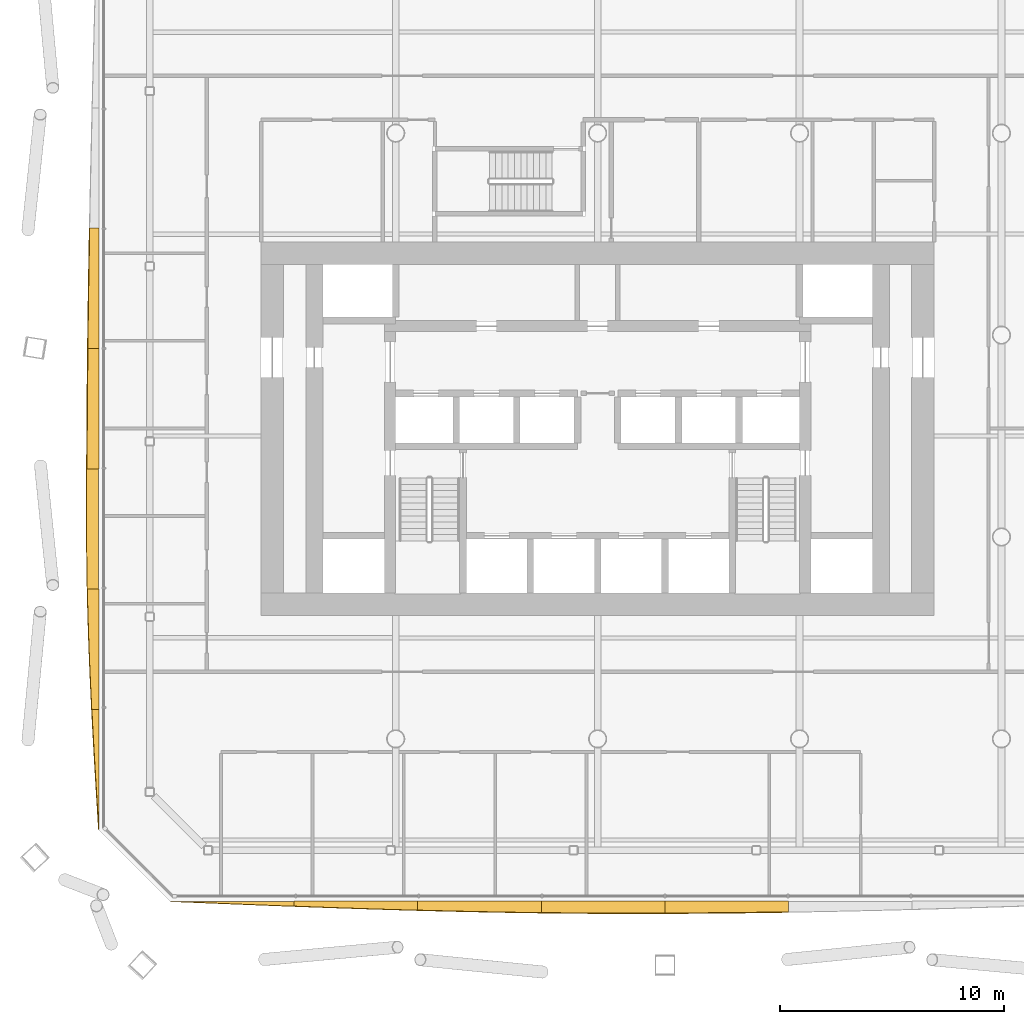
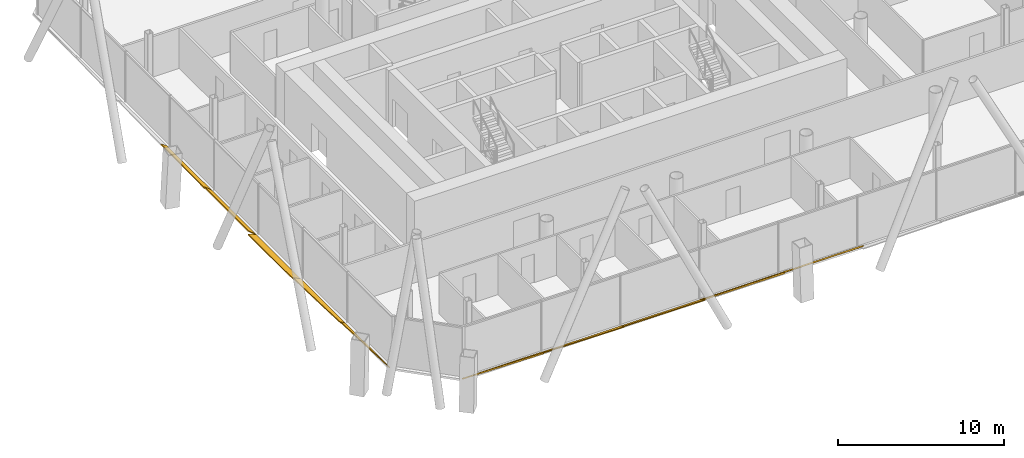
# One storey, part 18 of 22: 10 shading devices.
"""IFC4 building model written with IfcOpenShell, lengths in metres."""

from ifc_helpers import new_model, si_unit, direction, frame, origin, place, context, subcontext, project, spatial, polyline, outline, extrude, material, layer, layer_set, type_object, element, save


model = new_model("IFC4")

# Units and contexts
model_context = context("Model", 3, precision=1e-05, world=origin(), true_north=direction((0.0, 1.0)))
body_context = subcontext(model_context, "Body", "Model", "MODEL_VIEW")
ifc_project = project(units=[si_unit("LENGTHUNIT", "METRE"), si_unit("AREAUNIT", "SQUARE_METRE"), si_unit("VOLUMEUNIT", "CUBIC_METRE"), si_unit("PLANEANGLEUNIT", "RADIAN"), si_unit("MASSUNIT", "GRAM", prefix="KILO")], contexts=[model_context])

# Site, building, storey
site_placement = place(None, origin())
site = spatial("IfcSite", under=ifc_project, at=site_placement, CompositionType="ELEMENT")
building_placement = place(site_placement, origin())
building = spatial("IfcBuilding", under=site, at=building_placement, Name="Tskaro Facet Tower", CompositionType="ELEMENT")
storey_placement = place(building_placement, frame((0.0, 0.0, 73.800048828125)))
storey = spatial("IfcBuildingStorey", under=building, at=storey_placement, Name="L17", CompositionType="ELEMENT", Elevation=73.800048828125)

# Shading devices
ifc_material = material(Name="Bronze anodised aluminium 6063-T6", Category="aluminium")
ifc_layer = layer(ifc_material, 0.06005859375, Name="Bronze anodised aluminium 6063-T6")
ifc_layer_set = layer_set([ifc_layer], Name="Bronze anodised aluminium 6063-T6")
shading_device_type = type_object("IfcShadingDeviceType", Name="Bronze sun blade (FN1)", PredefinedType="USERDEFINED", material=ifc_layer_set)
shading_device_1_placement = place(storey_placement, frame((-19.04296875, -25.240478515625, 0.056396484375), z_axis=(-1.9468085e-05, 0.341473241503, 0.939891496375), x_axis=(0.99999999981, 6.64783e-06, 1.8297888e-05)))
element("IfcShadingDevice", 1, at=shading_device_1_placement, inside=storey, type_object=shading_device_type, Name="Fin blade south 1", ObjectType="FIN", PredefinedType="USERDEFINED", context=body_context, shape_type="SweptSolid", body=[
    extrude(outline(polyline([(0.0, 0.0), (5.510742186455697, 0.0), (5.510742188568875, -0.2327790668122189), (4.8217773443879635, -0.20497490505627505), (4.133056637987751, -0.17685791011231333), (3.4440917958316035, -0.14805251807614955), (2.7553710914561567, -0.1189342928519679), (2.066406248078761, -0.08958660193038555), (1.3776855485723305, -0.05977997961400182), (0.6887207039736883, -0.02988998980700091), (0.0, 0.0)])), origin(), (0.0, 0.0, -1.0), 0.06005859375),
])
shading_device_2_placement = place(storey_placement, frame((-13.5322265625, -25.235595703125, 0.054443359375), z_axis=(-6.482432e-06, 0.422219433033, 0.906493657081), x_axis=(0.999999999979, 2.737009e-06, 5.876284e-06)))
element("IfcShadingDevice", 2, at=shading_device_2_placement, inside=storey, type_object=shading_device_type, Name="Fin blade south 2", ObjectType="FIN", PredefinedType="USERDEFINED", context=body_context, shape_type="SweptSolid", body=[
    extrude(outline(polyline([(0.0, 0.0), (5.510742187384214, -2.3338900983183676e-21), (5.510742187477952, -0.4411596771826384), (4.821777344117968, -0.41964072904042227), (4.133056640518344, -0.39725168328165783), (3.4440917967655214, -0.3735499160503391), (2.755371093441276, -0.34875673927446915), (2.0664062500620406, -0.32319654579832074), (1.377685546443166, -0.29676625470562384), (0.6887207034375173, -0.2693476349846456), (-4.759855414140985e-10, -0.24128022957512174), (0.0, 0.0)])), origin(), (0.0, 0.0, -1.0), 0.06005859375),
])
shading_device_3_placement = place(storey_placement, frame((-8.021484375, -25.23095703125, 0.052001953125), z_axis=(-9.900308e-06, 0.499837840925, 0.866119006073), x_axis=(0.999999999951, 4.948549e-06, 8.574845e-06)))
element("IfcShadingDevice", 3, at=shading_device_3_placement, inside=storey, type_object=shading_device_type, Name="Fin blade south 3", ObjectType="FIN", PredefinedType="USERDEFINED", context=body_context, shape_type="SweptSolid", body=[
    extrude(outline(polyline([(0.0, 0.0), (5.51074218722993, 0.0), (5.510742187738303, -0.5914114502491936), (4.82177734298983, -0.5803580050391466), (4.13305664072012, -0.568003224205936), (3.4440917967004, -0.5538915914683082), (2.755371093065973, -0.538356592384629), (2.0664062497750035, -0.5211867721194205), (1.3776855468693276, -0.5025935855081606), (0.6887207039842943, -0.48291051810921454), (-6.089141406913071e-10, -0.4616820536413289), (0.0, 0.0)])), origin(), (0.0, 0.0, -1.0), 0.06005859375),
])
shading_device_4_placement = place(storey_placement, frame((-2.5107421875, -25.2265625, 0.049072265625), z_axis=(7.519674e-06, 0.573559601958, 0.819163831565), x_axis=(0.999999999972, -4.312981e-06, -6.159845e-06)))
element("IfcShadingDevice", 4, at=shading_device_4_placement, inside=storey, type_object=shading_device_type, Name="Fin blade south 4", ObjectType="FIN", PredefinedType="USERDEFINED", context=body_context, shape_type="SweptSolid", body=[
    extrude(outline(polyline([(0.0, 0.0), (5.510742187344197, 2.3338900983183676e-21), (5.5107421879295115, -0.6556255411463783), (4.821777342997492, -0.6575256341638109), (4.188232421742484, -0.6580656457031545), (4.133056640494044, -0.6580656457031545), (3.4440917966123377, -0.6571856137942886), (2.755371093504149, -0.6542054976981687), (2.0664062505215712, -0.6496653089541384), (1.3776855468086426, -0.643165065222555), (0.688720703221325, -0.6351047488430612), (-4.3369685905348114e-11, -0.6252843686458356), (0.0, 0.0)])), origin(), (0.0, 0.0, -1.0), 0.06005859375),
])
shading_device_5_placement = place(storey_placement, frame((3.0, -25.222412109375, 0.0458984375), z_axis=(-7.571561e-06, 0.64282116481, 0.766016285738), x_axis=(0.999999999971, 4.86716e-06, 5.799939e-06)))
element("IfcShadingDevice", 5, at=shading_device_5_placement, inside=storey, type_object=shading_device_type, Name="Fin blade south 5", ObjectType="FIN", PredefinedType="USERDEFINED", context=body_context, shape_type="SweptSolid", body=[
    extrude(outline(polyline([(0.0, 0.0), (5.510742187342038, -2.3338900983183676e-21), (5.510742187730165, -0.6307793418695962), (4.822021483316991, -0.6446578278332773), (4.133056641160452, -0.6569434033455318), (3.444335937529716, -0.6680401767297124), (2.755371093551341, -0.6775741165962876), (2.0666503904753126, -0.6855452229452579), (1.3776855472793756, -0.6922974502323328), (0.6889648435697846, -0.6973299052408582), (-2.597162093389047e-10, -0.7011434811874884), (0.0, 0.0)])), origin(), (0.0, 0.0, -1.0), 0.06005859375),
])
shading_device_6_placement = place(storey_placement, frame((-22.2265625, 4.763916015625, 0.049072265625), z_axis=(0.573611628151, 1.8428465e-05, 0.819127401391), x_axis=(1.0570782e-05, -0.99999999983, 1.509526e-05)))
element("IfcShadingDevice", 6, at=shading_device_6_placement, inside=storey, type_object=shading_device_type, Name="Fin blade west 4", ObjectType="FIN", PredefinedType="USERDEFINED", context=body_context, shape_type="SweptSolid", body=[
    extrude(outline(polyline([(0.0, 0.0), (5.361328124089625, 0.0), (5.361328125753335, -0.6021234875642657), (4.691162106958328, -0.5921630668297759), (4.020996092220227, -0.5814626573665653), (3.350830077853667, -0.5698822172732062), (2.6806640612778874, -0.5576217288254628), (2.0104980487590134, -0.5446212516489988), (1.3403320303455553, -0.5308006842167226), (0.6701660170936112, -0.5165801522329178), (-2.05291720615992e-09, -0.5015395299933008), (0.0, 0.0)])), origin(), (0.0, 0.0, -1.0), 0.06005859375),
])
shading_device_7_placement = place(storey_placement, frame((-22.222412109375, -0.597412109375, 0.0458984375), z_axis=(0.642755530733, -8.474244e-06, 0.766071359366), x_axis=(-5.446867e-06, -0.999999999964, -6.491875e-06)))
element("IfcShadingDevice", 7, at=shading_device_7_placement, inside=storey, type_object=shading_device_type, Name="Fin blade west 5", ObjectType="FIN", PredefinedType="USERDEFINED", context=body_context, shape_type="SweptSolid", body=[
    extrude(outline(polyline([(0.0, 0.0), (5.3615722654324856, 0.0), (5.361572265925318, -0.6982048373925949), (4.691406250216069, -0.6943912603368627), (4.021240235017077, -0.689889779526175), (3.350830077043749, -0.6843263366795778), (2.6806640631204024, -0.678105096481501), (2.01049804704771, -0.6708218942475146), (1.3403320301554749, -0.6626637591180957), (0.6701660153584279, -0.6536607974967201), (-2.5816246682683664e-10, -0.6437829029799121), (0.0, 0.0)])), origin(), (0.0, 0.0, -1.0), 0.06005859375),
])
shading_device_8_placement = place(storey_placement, frame((-22.240478515625, -5.958984375, 0.056396484375), z_axis=(0.341889938457, 8.025993e-06, 0.939740001233), x_axis=(2.744006e-06, -0.999999999968, 7.542347e-06)))
element("IfcShadingDevice", 8, at=shading_device_8_placement, inside=storey, type_object=shading_device_type, Name="Fin blade west 6", ObjectType="FIN", PredefinedType="USERDEFINED", context=body_context, shape_type="SweptSolid", body=[
    extrude(outline(polyline([(0.0, 0.0), (5.361328124827321, 0.0), (5.361328125991245, -0.540168492687177), (4.6911621093668145, -0.5533718029793773), (4.020996094085816, -0.5632586631323453), (3.3508300776369304, -0.5699750326340685), (2.6806640625314775, -0.5733749519965594), (2.358886718121918, -0.5736043807078054), (2.010498046258139, -0.5736043807078054), (1.3403320308231006, -0.5728326253508087), (0.6701660155564394, -0.5712891146368156), (4.581551969224246e-10, -0.568973848565826), (0.0, 0.0)])), origin(), (0.0, 0.0, -1.0), 0.06005859375),
])
shading_device_9_placement = place(storey_placement, frame((-22.235595703125, -11.3203125, 0.054443359375), z_axis=(0.422368895614, -1.8187816e-05, 0.906424026429), x_axis=(-7.681968e-06, -0.999999999835, -1.6485874e-05)))
element("IfcShadingDevice", 9, at=shading_device_9_placement, inside=storey, type_object=shading_device_type, Name="Fin blade west 7", ObjectType="FIN", PredefinedType="USERDEFINED", context=body_context, shape_type="SweptSolid", body=[
    extrude(outline(polyline([(0.0, 0.0), (5.361328124113245, -4.541221562916122e-21), (5.361328127000435, -0.3425326533331806), (4.691162109233753, -0.3786825703228298), (4.020996094438195, -0.41287095318924055), (3.350830076987318, -0.44443391714732106), (2.680664062781475, -0.47348963971926245), (2.0104980480697043, -0.49959553104833687), (1.3403320288271348, -0.5228547085407173), (0.6701660131035094, -0.5430609373840579), (-9.766521221532461e-10, -0.5599929226499949), (0.0, 0.0)])), origin(), (0.0, 0.0, -1.0), 0.06005859375),
])
shading_device_10_placement = place(storey_placement, frame((-22.23095703125, -16.681640625, 0.052001953125), z_axis=(0.499546298116, -2.0734646e-05, 0.866287190029), x_axis=(-1.0357916e-05, -0.999999999785, -1.7962158e-05)))
element("IfcShadingDevice", 10, at=shading_device_10_placement, inside=storey, type_object=shading_device_type, Name="Fin blade west 8", ObjectType="FIN", PredefinedType="USERDEFINED", context=body_context, shape_type="SweptSolid", body=[
    extrude(outline(polyline([(0.0, 0.0), (5.361328123847515, 0.0), (4.691162110358371, -0.04757288234230294), (4.020996096869228, -0.09514576468460588), (3.3508300801790143, -0.1419621997932981), (2.6806640602877283, -0.1880221876683796), (2.0104980434371678, -0.23287031332287228), (1.3403320296273333, -0.27650657675677603), (0.6701660138006483, -0.31850798617799375), (-2.186382733451017e-09, -0.3585410861450118), (0.0, 0.0)])), origin(), (0.0, 0.0, -1.0), 0.06005859375),
])

save(model, "model.ifc")
